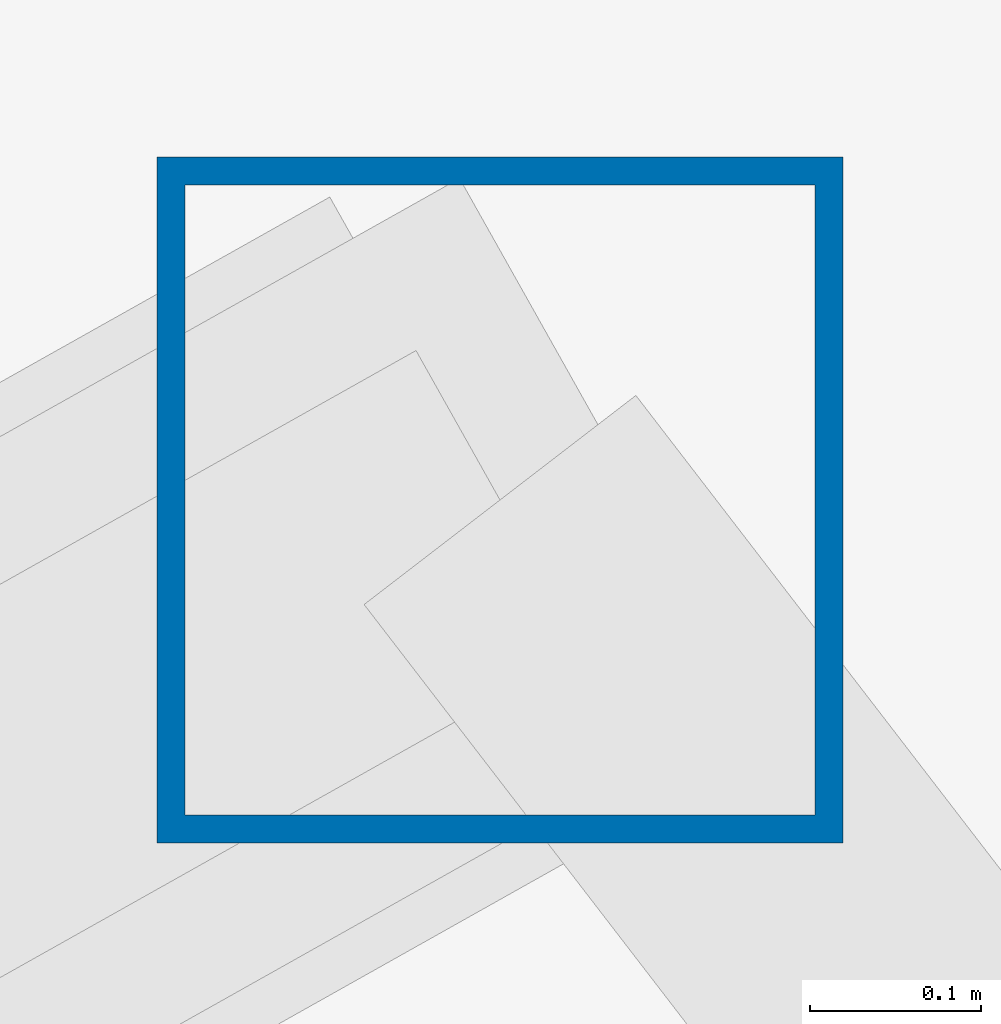
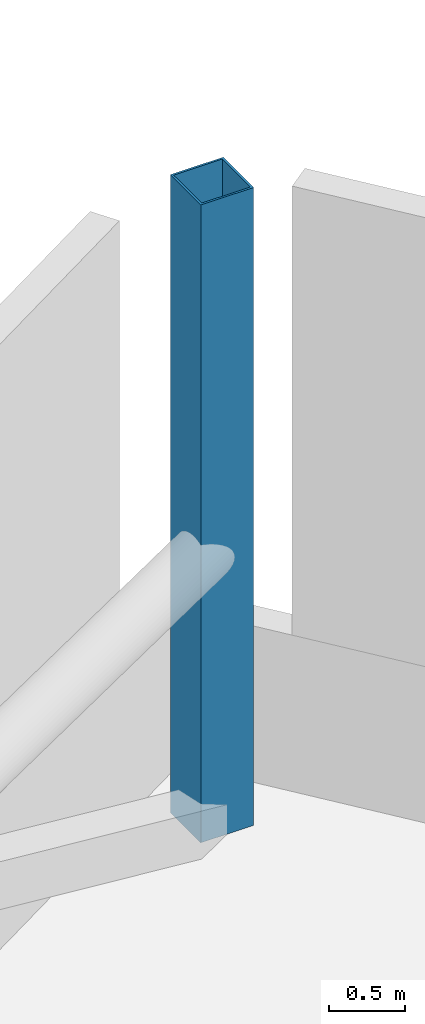
# One storey, part 2 of 13: 1 column.
"""IFC4 building model written with IfcOpenShell, lengths in metres."""

from ifc_helpers import new_model, si_unit, direction, frame, origin, origin_2d, place, context, subcontext, project, spatial, hollow_rectangle, extrude, source, transform, mapped, material, material_profile, profile_set, type_object, type_shapes, element, save


model = new_model("IFC4")

# Units and contexts
model_context = context("Model", 3, precision=1e-05, world=origin(), true_north=direction((0.0, 1.0)))
body_context = subcontext(model_context, "Body", "Model", "MODEL_VIEW")
ifc_project = project(units=[si_unit("LENGTHUNIT", "METRE"), si_unit("AREAUNIT", "SQUARE_METRE"), si_unit("VOLUMEUNIT", "CUBIC_METRE"), si_unit("PLANEANGLEUNIT", "RADIAN"), si_unit("MASSUNIT", "GRAM", prefix="KILO")], contexts=[model_context])

# Site, building, storey
site_placement = place(None, origin())
site = spatial("IfcSite", under=ifc_project, at=site_placement, CompositionType="ELEMENT")
building_placement = place(site_placement, origin())
building = spatial("IfcBuilding", under=site, at=building_placement, Name="Seokmaru Belvedere", CompositionType="ELEMENT")
storey_placement = place(building_placement, frame((0.0, 0.0, 224.699951171875)))
storey = spatial("IfcBuildingStorey", under=building, at=storey_placement, Name="L60", CompositionType="ELEMENT", Elevation=224.699951171875)

# Column
ifc_material = material(Name="Steel SM355 (355 MPa)", Category="steel")
ifc_material_profile = material_profile(ifc_material, hollow_rectangle(XDim=0.39990234375, YDim=0.39990234375, WallThickness=0.01611328125, at=origin_2d()), Name="HSS-400x400x16")
ifc_profile_set = profile_set([ifc_material_profile], Name="Steel SM355 (355 MPa)")
column_type = type_object("IfcColumnType", Name="Perimeter Facet Column HSS-400", PredefinedType="COLUMN", material=ifc_profile_set)
shared_shape = source(origin(), body_context, "Body", "SweptSolid", [
    extrude(hollow_rectangle(XDim=0.39990234375, YDim=0.39990234375, WallThickness=0.01611328125, at=origin_2d()), origin(), (0.0, 0.0, 1.0), 5.10009765625),
])
type_shapes(column_type, [shared_shape])
column_placement = place(storey_placement, frame((-32.649658203125, 21.71044921875, 0.0), z_axis=(0.0, 0.0, 1.0), x_axis=(1.0, 0.0, 0.0)))
element("IfcColumn", 1, at=column_placement, inside=storey, type_object=column_type, Name="L60 Column WF3", PredefinedType="COLUMN", context=body_context, shape_type="MappedRepresentation", body=[
    mapped(shared_shape, transform((0.0, 0.0, 0.0), scale=1.0)),
])

save(model, "model.ifc")
